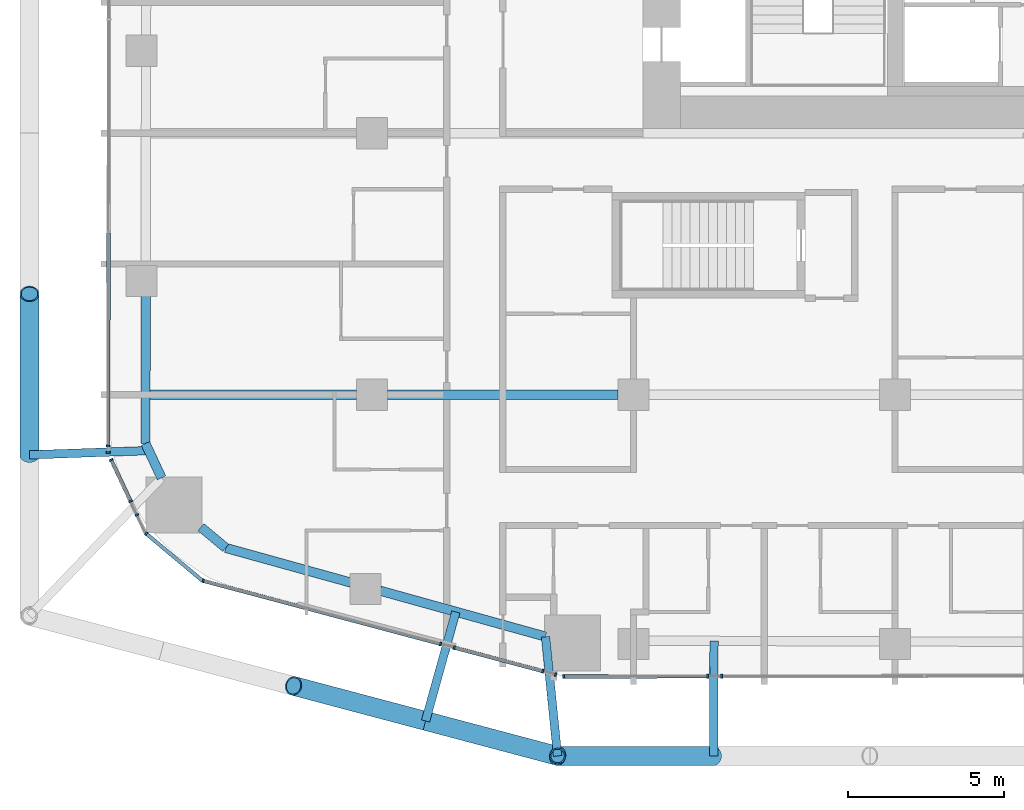
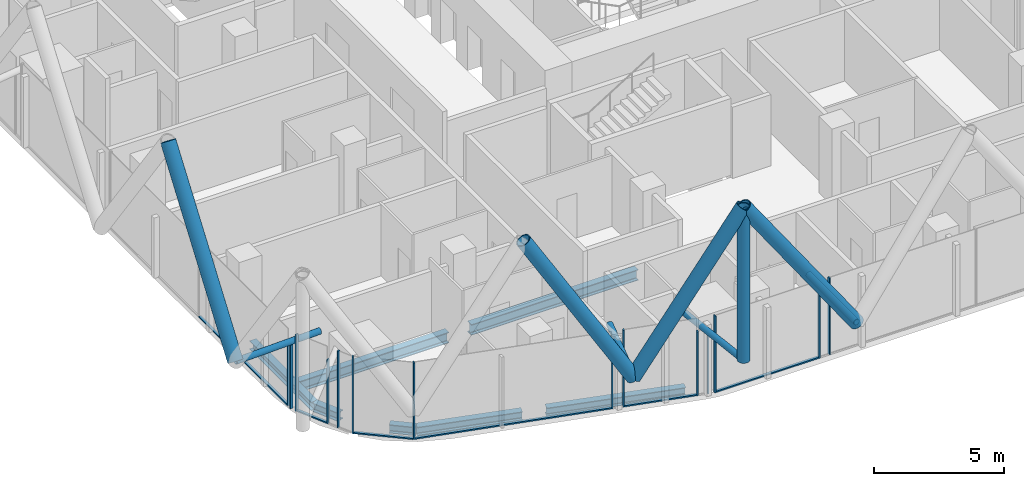
# One storey, part 2 of 38: 29 members, 7 beams, 13 elements without a shape of their own.
"""IFC4 building model written with IfcOpenShell, lengths in metres."""

from ifc_helpers import new_model, si_unit, direction, frame, origin, origin_2d, place, context, subcontext, project, spatial, rectangle, hollow_circle, i_section, extrude, material, layer, layer_set, material_profile, profile_set, type_object, element, aggregate, save


model = new_model("IFC4")

# Units and contexts
model_context = context("Model", 3, precision=1e-05, world=origin(), true_north=direction((0.0, 1.0)))
body_context = subcontext(model_context, "Body", "Model", "MODEL_VIEW")
ifc_project = project(units=[si_unit("LENGTHUNIT", "METRE"), si_unit("AREAUNIT", "SQUARE_METRE"), si_unit("VOLUMEUNIT", "CUBIC_METRE"), si_unit("PLANEANGLEUNIT", "RADIAN"), si_unit("MASSUNIT", "GRAM", prefix="KILO")], contexts=[model_context])

# Site, building, storey
site_placement = place(None, origin())
site = spatial("IfcSite", under=ifc_project, at=site_placement, CompositionType="ELEMENT")
building_placement = place(site_placement, origin())
building = spatial("IfcBuilding", under=site, at=building_placement, Name="Marenta Gate Hotel Tower", CompositionType="ELEMENT")
storey_placement = place(building_placement, frame((0.0, 0.0, 40.10009765625)))
storey = spatial("IfcBuildingStorey", under=building, at=storey_placement, Name="L07", CompositionType="ELEMENT", Elevation=40.10009765625)

# Members
ifc_material_1 = material(Name="Steel S355J2W", Category="steel")
ifc_material_profile_1 = material_profile(ifc_material_1, hollow_circle(Radius=0.25390625, WallThickness=0.0400390625, at=origin_2d()), Name="CHS 508x40")
ifc_profile_set_1 = profile_set([ifc_material_profile_1], Name="Steel S355J2W")
member_type_1 = type_object("IfcMemberType", Name="Diagrid corner post Z1 CHS 508x40", PredefinedType="POST", material=ifc_profile_set_1)
member_1_placement = place(storey_placement, frame((-15.0390625, -20.0, 3.139892578125), z_axis=(0.0, 0.0, 1.0), x_axis=(1.0, 0.0, 0.0)))
element("IfcMember", 1, at=member_1_placement, inside=storey, type_object=member_type_1, Name="L07-DR-4", PredefinedType="POST", context=body_context, shape_type="SweptSolid", body=[
    extrude(hollow_circle(Radius=0.25390625, WallThickness=0.0400390625, at=origin_2d()), origin(), (0.0, 0.0, 1.0), 7.199951171875),
])
ifc_material_2 = material(Name="Steel S355J2W", Category="steel")
ifc_material_profile_2 = material_profile(ifc_material_2, hollow_circle(Radius=0.304931640625, WallThickness=0.0400390625, at=origin_2d()), Name="CHS 610x40")
ifc_profile_set_2 = profile_set([ifc_material_profile_2], Name="Steel S355J2W")
member_type_2 = type_object("IfcMemberType", Name="Diagrid diagonal Z1 CHS 610x40", PredefinedType="BRACE", material=ifc_profile_set_2)
member_2_placement = place(storey_placement, frame((-10.02587890625, -20.0, 3.139892578125), z_axis=(-0.571411767966, 0.0, 0.820663506822), x_axis=(0.0, -1.0, 0.0)))
element("IfcMember", 2, at=member_2_placement, inside=storey, type_object=member_type_2, Name="L07-DG-20", PredefinedType="BRACE", context=body_context, shape_type="SweptSolid", body=[
    extrude(hollow_circle(Radius=0.304931640625, WallThickness=0.0400390625, at=origin_2d()), origin(), (0.0, 0.0, 1.0), 8.7734375),
])
for number, where, z_axis, x_axis, name in (
    (3, (-19.279296875, -18.875, 3.139892578125), (0.502924018666, -0.133433548941, 0.853968921838), (0.256443187528, 0.96655930577, 0.0), "L07-DG-21"),
    (4, (-19.279296875, -18.875, 3.139892578125), (-0.502924018666, 0.133433548941, 0.853968921838), (-0.256443187528, -0.96655930577, 0.0), "L07-DG-22"),
):
    element("IfcMember", number, at=place(storey_placement, frame(where, z_axis=z_axis, x_axis=x_axis)), inside=storey, type_object=member_type_2, Name=name, PredefinedType="BRACE", context=body_context, shape_type="SweptSolid", body=[
        extrude(hollow_circle(Radius=0.304931640625, WallThickness=0.0400390625, at=origin_2d()), origin(), (0.0, 0.0, 1.0), 8.43115234375),
    ])
member_3_placement = place(storey_placement, frame((-32.0, -10.330078125, 3.139892578125), z_axis=(0.0, 0.583260841117, 0.812284919975), x_axis=(-1.0, 0.0, 0.0)))
element("IfcMember", 5, at=member_3_placement, inside=storey, type_object=member_type_2, Name="L07-DG-26", PredefinedType="BRACE", context=body_context, shape_type="SweptSolid", body=[
    extrude(hollow_circle(Radius=0.304931640625, WallThickness=0.0400390625, at=origin_2d()), origin(), (0.0, 0.0, 1.0), 8.86376953125),
])

# Beams
ifc_material_3 = material(Name="Steel S355", Category="steel")
ifc_material_profile_3 = material_profile(ifc_material_3, i_section(OverallWidth=0.300048828125, OverallDepth=0.39990234375, WebThickness=0.013427734375, FlangeThickness=0.02392578125, FilletRadius=0.027099609375, at=origin_2d()), Name="HEB 400")
ifc_profile_set_3 = profile_set([ifc_material_profile_3], Name="Steel S355")
beam_type_1 = type_object("IfcBeamType", Name="Edge beam HEB 400", PredefinedType="SPANDREL", material=ifc_profile_set_3)
beam_1_placement = place(storey_placement, frame((-15.427734375, -16.166748046875, -0.460205078125), z_axis=(-0.963623684238, 0.267262782998, 0.0), x_axis=(-0.267262782998, -0.963623684238, 0.0)))
element("IfcBeam", 6, at=beam_1_placement, inside=storey, type_object=beam_type_1, Name="L07-EB-1", PredefinedType="SPANDREL", context=body_context, shape_type="SweptSolid", body=[
    extrude(i_section(OverallWidth=0.300048828125, OverallDepth=0.39990234375, WebThickness=0.013427734375, FlangeThickness=0.02392578125, FilletRadius=0.027099609375, at=origin_2d()), origin(), (0.0, 0.0, 1.0), 5.518310546875),
])
beam_2_placement = place(storey_placement, frame((-21.668212890625, -14.43603515625, -0.460205078125), z_axis=(-0.963617403201, 0.267285428426, 0.0), x_axis=(-0.267285428426, -0.963617403201, 0.0)))
element("IfcBeam", 7, at=beam_2_placement, inside=storey, type_object=beam_type_1, Name="L07-EB-2", PredefinedType="SPANDREL", context=body_context, shape_type="SweptSolid", body=[
    extrude(i_section(OverallWidth=0.300048828125, OverallDepth=0.39990234375, WebThickness=0.013427734375, FlangeThickness=0.02392578125, FilletRadius=0.027099609375, at=origin_2d()), origin(), (0.0, 0.0, 1.0), 4.1806640625),
])
beam_3_placement = place(storey_placement, frame((-25.69677734375, -13.318603515625, -0.460205078125), z_axis=(-0.767179911534, 0.641431978731, 0.0), x_axis=(-0.641431978731, -0.767179911534, 0.0)))
element("IfcBeam", 8, at=beam_3_placement, inside=storey, type_object=beam_type_1, Name="L07-EB-3", PredefinedType="SPANDREL", context=body_context, shape_type="SweptSolid", body=[
    extrude(i_section(OverallWidth=0.300048828125, OverallDepth=0.39990234375, WebThickness=0.013427734375, FlangeThickness=0.02392578125, FilletRadius=0.027099609375, at=origin_2d()), origin(), (0.0, 0.0, 1.0), 1.038818359375),
])
beam_4_placement = place(storey_placement, frame((-27.76025390625, -11.0693359375, -0.460205078125), z_axis=(-0.423291965192, 0.905993329006, 0.0), x_axis=(-0.905993329006, -0.423291965192, 0.0)))
element("IfcBeam", 9, at=beam_4_placement, inside=storey, type_object=beam_type_1, Name="L07-EB-4", PredefinedType="SPANDREL", context=body_context, shape_type="SweptSolid", body=[
    extrude(i_section(OverallWidth=0.300048828125, OverallDepth=0.39990234375, WebThickness=0.013427734375, FlangeThickness=0.02392578125, FilletRadius=0.027099609375, at=origin_2d()), origin(), (0.0, 0.0, 1.0), 1.21630859375),
])
beam_5_placement = place(storey_placement, frame((-28.275146484375, -9.96728515625, -0.460205078125), z_axis=(0.001386177947, 0.999999039255, 0.0), x_axis=(-0.999999039255, 0.001386177947, 0.0)))
element("IfcBeam", 10, at=beam_5_placement, inside=storey, type_object=beam_type_1, Name="L07-EB-5", PredefinedType="SPANDREL", context=body_context, shape_type="SweptSolid", body=[
    extrude(i_section(OverallWidth=0.300048828125, OverallDepth=0.39990234375, WebThickness=0.013427734375, FlangeThickness=0.02392578125, FilletRadius=0.027099609375, at=origin_2d()), origin(), (0.0, 0.0, 1.0), 4.75537109375),
])

# Members
ifc_material_4 = material(Name="Steel S355J2W", Category="steel")
ifc_material_profile_4 = material_profile(ifc_material_4, hollow_circle(Radius=0.136474609375, WallThickness=0.012451171875, at=origin_2d()), Name="CHS 273x12.5")
ifc_profile_set_4 = profile_set([ifc_material_profile_4], Name="Steel S355J2W")
member_type_3 = type_object("IfcMemberType", Name="Floor tie CHS 273x12.5", PredefinedType="STRUT", material=ifc_profile_set_4)
member_4_placement = place(storey_placement, frame((-10.02587890625, -20.0, 3.139892578125), z_axis=(0.00271396366, 0.999996317194, 0.0), x_axis=(-0.999996317194, 0.00271396366, 0.0)))
element("IfcMember", 11, at=member_4_placement, inside=storey, type_object=member_type_3, Name="L07-DR-15", PredefinedType="STRUT", context=body_context, shape_type="SweptSolid", body=[
    extrude(hollow_circle(Radius=0.136474609375, WallThickness=0.012451171875, at=origin_2d()), origin(), (0.0, 0.0, 1.0), 3.688232421875),
])
member_5_placement = place(storey_placement, frame((-15.0390625, -20.0, 3.139892578125), z_axis=(-0.100880214529, 0.99489857891, 0.0), x_axis=(-0.99489857891, -0.100880214529, 0.0)))
element("IfcMember", 12, at=member_5_placement, inside=storey, type_object=member_type_3, Name="L07-DR-16", PredefinedType="STRUT", context=body_context, shape_type="SweptSolid", body=[
    extrude(hollow_circle(Radius=0.136474609375, WallThickness=0.012451171875, at=origin_2d()), origin(), (0.0, 0.0, 1.0), 3.845458984375),
])
member_6_placement = place(storey_placement, frame((-19.279296875, -18.875, 3.139892578125), z_axis=(0.267255561647, 0.963625687064, 0.0), x_axis=(-0.963625687064, 0.267255561647, 0.0)))
element("IfcMember", 13, at=member_6_placement, inside=storey, type_object=member_type_3, Name="L07-DR-17", PredefinedType="STRUT", context=body_context, shape_type="SweptSolid", body=[
    extrude(hollow_circle(Radius=0.136474609375, WallThickness=0.012451171875, at=origin_2d()), origin(), (0.0, 0.0, 1.0), 3.632080078125),
])
member_7_placement = place(storey_placement, frame((-32.0, -10.330078125, 3.139892578125), z_axis=(0.999365858517, 0.035607314287, 0.0), x_axis=(-0.035607314287, 0.999365858517, 0.0)))
element("IfcMember", 14, at=member_7_placement, inside=storey, type_object=member_type_3, Name="L07-DR-19", PredefinedType="STRUT", context=body_context, shape_type="SweptSolid", body=[
    extrude(hollow_circle(Radius=0.136474609375, WallThickness=0.012451171875, at=origin_2d()), origin(), (0.0, 0.0, 1.0), 3.825927734375),
])

# Beams
ifc_material_5 = material(Name="Steel S355", Category="steel")
ifc_material_profile_5 = material_profile(ifc_material_5, i_section(OverallWidth=0.300048828125, OverallDepth=0.5, WebThickness=0.014404296875, FlangeThickness=0.028076171875, FilletRadius=0.027099609375, at=origin_2d()), Name="HEB 500")
ifc_profile_set_5 = profile_set([ifc_material_profile_5], Name="Steel S355")
beam_type_2 = type_object("IfcBeamType", Name="Girder HEB 500", PredefinedType="BEAM", material=ifc_profile_set_5)
beam_6_placement = place(storey_placement, frame((-28.123046875, -8.39990234375, -0.510009765625), z_axis=(1.0, 0.0, 0.0), x_axis=(0.0, 1.0, 0.0)))
element("IfcBeam", 15, at=beam_6_placement, inside=storey, type_object=beam_type_2, Name="L07-GD-1", PredefinedType="BEAM", context=body_context, shape_type="SweptSolid", body=[
    extrude(i_section(OverallWidth=0.300048828125, OverallDepth=0.5, WebThickness=0.014404296875, FlangeThickness=0.028076171875, FilletRadius=0.027099609375, at=origin_2d()), origin(), (0.0, 0.0, 1.0), 6.623046875),
])
beam_7_placement = place(storey_placement, frame((-20.5, -8.39990234375, -0.510009765625), z_axis=(1.0, 0.0, 0.0), x_axis=(0.0, 1.0, 0.0)))
element("IfcBeam", 16, at=beam_7_placement, inside=storey, type_object=beam_type_2, Name="L07-GD-2", PredefinedType="BEAM", context=body_context, shape_type="SweptSolid", body=[
    extrude(i_section(OverallWidth=0.300048828125, OverallDepth=0.5, WebThickness=0.014404296875, FlangeThickness=0.028076171875, FilletRadius=0.027099609375, at=origin_2d()), origin(), (0.0, 0.0, 1.0), 7.39990234375),
])

# Curtain wall, members
ifc_material_6 = material(Name="Tinted insulated glass in bronze anodised frame", Category="glass")
ifc_layer = layer(ifc_material_6, 0.1201171875)
ifc_layer_set = layer_set([ifc_layer], Name="Tinted insulated glass in bronze anodised frame")
curtain_wall_type = type_object("IfcCurtainWallType", Name="Tower unitised curtain wall CW1", PredefinedType="NOTDEFINED", material=ifc_layer_set)
curtain_wall_1_placement = place(storey_placement, origin())
curtain_wall_1 = element("IfcCurtainWall", 17, at=curtain_wall_1_placement, inside=storey, type_object=curtain_wall_type, Name="CW1 run G09", PredefinedType="NOTDEFINED")
ifc_material_7 = material(Name="Bronze anodised aluminium", Category="aluminium")
ifc_material_profile_6 = material_profile(ifc_material_7, rectangle(XDim=0.1201171875, YDim=0.06005859375, at=origin_2d()), Name="Mullion CW1 60x120 bronze anodised aluminium")
ifc_profile_set_6 = profile_set([ifc_material_profile_6], Name="Bronze anodised aluminium")
member_type_4 = type_object("IfcMemberType", Name="Mullion CW1 60x120 bronze anodised aluminium", PredefinedType="MULLION", material=ifc_profile_set_6)
member_8_placement = place(storey_placement, frame((-29.472900390625, -10.04345703125, 0.0), z_axis=(0.0, 0.0, 1.0), x_axis=(0.999998839888, -0.001523227487, 0.0)))
member_8 = element("IfcMember", 18, at=member_8_placement, type_object=member_type_4, Name="CW1 mullion 1", PredefinedType="MULLION", context=body_context, shape_type="SweptSolid", body=[
    extrude(rectangle(XDim=0.1201171875, YDim=0.06005859375, at=origin_2d()), origin(), (0.0, 0.0, 1.0), 3.00048828125),
])
member_9_placement = place(storey_placement, frame((-29.47314453125, -10.24609375, 0.0), z_axis=(0.0, 0.0, 1.0), x_axis=(0.999998839888, -0.001523227487, 0.0)))
member_9 = element("IfcMember", 19, at=member_9_placement, type_object=member_type_4, Name="CW1 mullion 2", PredefinedType="MULLION", context=body_context, shape_type="SweptSolid", body=[
    extrude(rectangle(XDim=0.1201171875, YDim=0.06005859375, at=origin_2d()), origin(), (0.0, 0.0, 1.0), 3.00048828125),
])
aggregate(curtain_wall_1, [member_8, member_9])

# Curtain wall, member
curtain_wall_2_placement = place(storey_placement, origin())
curtain_wall_2 = element("IfcCurtainWall", 20, at=curtain_wall_2_placement, inside=storey, type_object=curtain_wall_type, Name="CW1 run G10", PredefinedType="NOTDEFINED")
member_10_placement = place(storey_placement, frame((-29.373046875, -10.49072265625, 0.0), z_axis=(0.0, 0.0, 1.0), x_axis=(0.905954731156, 0.423374568314, 0.0)))
member_10 = element("IfcMember", 21, at=member_10_placement, type_object=member_type_4, Name="CW1 mullion 1", PredefinedType="MULLION", context=body_context, shape_type="SweptSolid", body=[
    extrude(rectangle(XDim=0.1201171875, YDim=0.06005859375, at=origin_2d()), origin(), (0.0, 0.0, 1.0), 3.599853515625),
])

curtain_wall_3_placement = place(storey_placement, origin())
curtain_wall_3 = element("IfcCurtainWall", 22, at=curtain_wall_3_placement, inside=storey, type_object=curtain_wall_type, Name="CW1 run G11", PredefinedType="NOTDEFINED")
member_11_placement = place(storey_placement, frame((-28.752197265625, -11.819091796875, 0.0), z_axis=(0.0, 0.0, 1.0), x_axis=(0.906004324729, 0.423268429691, 0.0)))
member_11 = element("IfcMember", 23, at=member_11_placement, type_object=member_type_4, Name="CW1 mullion 1", PredefinedType="MULLION", context=body_context, shape_type="SweptSolid", body=[
    extrude(rectangle(XDim=0.1201171875, YDim=0.06005859375, at=origin_2d()), origin(), (0.0, 0.0, 1.0), 3.00048828125),
])
aggregate(curtain_wall_3, [member_11])

curtain_wall_4_placement = place(storey_placement, origin())
curtain_wall_4 = element("IfcCurtainWall", 24, at=curtain_wall_4_placement, inside=storey, type_object=curtain_wall_type, Name="CW1 run G12", PredefinedType="NOTDEFINED")
member_12_placement = place(storey_placement, frame((-28.546630859375, -12.25927734375, 0.0), z_axis=(0.0, 0.0, 1.0), x_axis=(0.905943804319, 0.423397949235, 0.0)))
member_12 = element("IfcMember", 25, at=member_12_placement, type_object=member_type_4, Name="CW1 mullion 1", PredefinedType="MULLION", context=body_context, shape_type="SweptSolid", body=[
    extrude(rectangle(XDim=0.1201171875, YDim=0.06005859375, at=origin_2d()), origin(), (0.0, 0.0, 1.0), 3.599853515625),
])
aggregate(curtain_wall_4, [member_12])

curtain_wall_5_placement = place(storey_placement, origin())
curtain_wall_5 = element("IfcCurtainWall", 26, at=curtain_wall_5_placement, inside=storey, type_object=curtain_wall_type, Name="CW1 run G13", PredefinedType="NOTDEFINED")
member_13_placement = place(storey_placement, frame((-28.25146484375, -12.86083984375, 0.0), z_axis=(0.0, 0.0, 1.0), x_axis=(0.641511984407, 0.767113012445, 0.0)))
member_13 = element("IfcMember", 27, at=member_13_placement, type_object=member_type_4, Name="CW1 mullion 1", PredefinedType="MULLION", context=body_context, shape_type="SweptSolid", body=[
    extrude(rectangle(XDim=0.1201171875, YDim=0.06005859375, at=origin_2d()), origin(), (0.0, 0.0, 1.0), 3.599853515625),
])

curtain_wall_6_placement = place(storey_placement, origin())
curtain_wall_6 = element("IfcCurtainWall", 28, at=curtain_wall_6_placement, inside=storey, type_object=curtain_wall_type, Name="CW1 run G14", PredefinedType="NOTDEFINED")
member_14_placement = place(storey_placement, frame((-26.42236328125, -14.3740234375, 0.0), z_axis=(0.0, 0.0, 1.0), x_axis=(0.257144343682, 0.96637300589, 0.0)))
member_14 = element("IfcMember", 29, at=member_14_placement, type_object=member_type_4, Name="CW1 mullion 1", PredefinedType="MULLION", context=body_context, shape_type="SweptSolid", body=[
    extrude(rectangle(XDim=0.1201171875, YDim=0.06005859375, at=origin_2d()), origin(), (0.0, 0.0, 1.0), 3.599853515625),
])

curtain_wall_7_placement = place(storey_placement, origin())
curtain_wall_7 = element("IfcCurtainWall", 30, at=curtain_wall_7_placement, inside=storey, type_object=curtain_wall_type, Name="CW1 run G15", PredefinedType="NOTDEFINED")
member_15_placement = place(storey_placement, frame((-18.797607421875, -16.40283203125, 0.0), z_axis=(0.0, 0.0, 1.0), x_axis=(0.257154287199, 0.966370359942, 0.0)))
member_15 = element("IfcMember", 31, at=member_15_placement, type_object=member_type_4, Name="CW1 mullion 1", PredefinedType="MULLION", context=body_context, shape_type="SweptSolid", body=[
    extrude(rectangle(XDim=0.1201171875, YDim=0.06005859375, at=origin_2d()), origin(), (0.0, 0.0, 1.0), 3.00048828125),
])
aggregate(curtain_wall_7, [member_15])

curtain_wall_8_placement = place(storey_placement, origin())
curtain_wall_8 = element("IfcCurtainWall", 32, at=curtain_wall_8_placement, inside=storey, type_object=curtain_wall_type, Name="CW1 run G16", PredefinedType="NOTDEFINED")
member_16_placement = place(storey_placement, frame((-18.359619140625, -16.51953125, 0.0), z_axis=(0.0, 0.0, 1.0), x_axis=(0.257134071867, 0.966375739081, 0.0)))
member_16 = element("IfcMember", 33, at=member_16_placement, type_object=member_type_4, Name="CW1 mullion 1", PredefinedType="MULLION", context=body_context, shape_type="SweptSolid", body=[
    extrude(rectangle(XDim=0.1201171875, YDim=0.06005859375, at=origin_2d()), origin(), (0.0, 0.0, 1.0), 3.599853515625),
])

# Curtain wall, members
curtain_wall_9_placement = place(storey_placement, origin())
curtain_wall_9 = element("IfcCurtainWall", 34, at=curtain_wall_9_placement, inside=storey, type_object=curtain_wall_type, Name="CW1 run G17", PredefinedType="NOTDEFINED")
member_17_placement = place(storey_placement, frame((-15.5146484375, -17.2763671875, 0.0), z_axis=(0.0, 0.0, 1.0), x_axis=(0.257084251591, 0.966388993927, 0.0)))
member_17 = element("IfcMember", 35, at=member_17_placement, type_object=member_type_4, Name="CW1 mullion 1", PredefinedType="MULLION", context=body_context, shape_type="SweptSolid", body=[
    extrude(rectangle(XDim=0.1201171875, YDim=0.06005859375, at=origin_2d()), origin(), (0.0, 0.0, 1.0), 3.00048828125),
])
member_18_placement = place(storey_placement, frame((-15.104736328125, -17.385498046875, 0.0), z_axis=(0.0, 0.0, 1.0), x_axis=(0.257084251591, 0.966388993927, 0.0)))
member_18 = element("IfcMember", 36, at=member_18_placement, type_object=member_type_4, Name="CW1 mullion 2", PredefinedType="MULLION", context=body_context, shape_type="SweptSolid", body=[
    extrude(rectangle(XDim=0.1201171875, YDim=0.06005859375, at=origin_2d()), origin(), (0.0, 0.0, 1.0), 3.00048828125),
])
aggregate(curtain_wall_9, [member_17, member_18])

# Curtain wall, member
curtain_wall_10_placement = place(storey_placement, origin())
curtain_wall_10 = element("IfcCurtainWall", 37, at=curtain_wall_10_placement, inside=storey, type_object=curtain_wall_type, Name="CW1 run G18", PredefinedType="NOTDEFINED")
member_19_placement = place(storey_placement, frame((-14.840576171875, -17.44775390625, 0.0), z_axis=(0.0, 0.0, 1.0), x_axis=(-0.001167541525, 0.999999318423, 0.0)))
member_19 = element("IfcMember", 38, at=member_19_placement, type_object=member_type_4, Name="CW1 mullion 1", PredefinedType="MULLION", context=body_context, shape_type="SweptSolid", body=[
    extrude(rectangle(XDim=0.1201171875, YDim=0.06005859375, at=origin_2d()), origin(), (0.0, 0.0, 1.0), 3.599853515625),
])

curtain_wall_11_placement = place(storey_placement, origin())
curtain_wall_11 = element("IfcCurtainWall", 39, at=curtain_wall_11_placement, inside=storey, type_object=curtain_wall_type, Name="CW1 run G19", PredefinedType="NOTDEFINED")
member_20_placement = place(storey_placement, frame((-10.215576171875, -17.4423828125, 0.0), z_axis=(0.0, 0.0, 1.0), x_axis=(-0.001103752086, 0.999999390865, 0.0)))
member_20 = element("IfcMember", 40, at=member_20_placement, type_object=member_type_4, Name="CW1 mullion 1", PredefinedType="MULLION", context=body_context, shape_type="SweptSolid", body=[
    extrude(rectangle(XDim=0.1201171875, YDim=0.06005859375, at=origin_2d()), origin(), (0.0, 0.0, 1.0), 3.00048828125),
])
aggregate(curtain_wall_11, [member_20])

curtain_wall_12_placement = place(storey_placement, origin())
curtain_wall_12 = element("IfcCurtainWall", 41, at=curtain_wall_12_placement, inside=storey, type_object=curtain_wall_type, Name="CW1 run G20", PredefinedType="NOTDEFINED")
member_21_placement = place(storey_placement, frame((-9.762451171875, -17.44189453125, 0.0), z_axis=(0.0, 0.0, 1.0), x_axis=(-0.001163317936, 0.999999323345, 0.0)))
member_21 = element("IfcMember", 42, at=member_21_placement, type_object=member_type_4, Name="CW1 mullion 1", PredefinedType="MULLION", context=body_context, shape_type="SweptSolid", body=[
    extrude(rectangle(XDim=0.1201171875, YDim=0.06005859375, at=origin_2d()), origin(), (0.0, 0.0, 1.0), 3.599853515625),
])
aggregate(curtain_wall_12, [member_21])

curtain_wall_13_placement = place(storey_placement, origin())
curtain_wall_13 = element("IfcCurtainWall", 43, at=curtain_wall_13_placement, inside=storey, type_object=curtain_wall_type, Name="CW1 run G08", PredefinedType="NOTDEFINED")
ifc_material_8 = material(Name="Bronze anodised aluminium", Category="aluminium")
ifc_material_profile_7 = material_profile(ifc_material_8, rectangle(XDim=0.1201171875, YDim=0.06005859375, at=origin_2d()), Name="Transom CW1 60x120 bronze anodised aluminium")
ifc_profile_set_7 = profile_set([ifc_material_profile_7], Name="Bronze anodised aluminium")
member_type_5 = type_object("IfcMemberType", Name="Transom CW1 60x120 bronze anodised aluminium", PredefinedType="USERDEFINED", material=ifc_profile_set_7)
member_22_placement = place(storey_placement, frame((-29.462158203125, -3.20458984375, 0.02978515625), z_axis=(-0.001577680994, -0.999998755461, 0.0), x_axis=(0.999998755461, -0.001577680994, 0.0)))
member_22 = element("IfcMember", 44, at=member_22_placement, type_object=member_type_5, Name="CW1 transom 3.1", ObjectType="TRANSOM", PredefinedType="USERDEFINED", context=body_context, shape_type="SweptSolid", body=[
    extrude(rectangle(XDim=0.1201171875, YDim=0.06005859375, at=origin_2d()), origin(), (0.0, 0.0, 1.0), 6.808837890625),
])
aggregate(curtain_wall_13, [member_22])

# Member
member_23_placement = place(storey_placement, frame((-29.3603515625, -10.51806640625, 0.02978515625), z_axis=(0.423512756484, -0.905890139639, 0.0), x_axis=(0.905890139639, 0.423512756484, 0.0)))
member_23 = element("IfcMember", 45, at=member_23_placement, type_object=member_type_5, Name="CW1 transom 1.1", ObjectType="TRANSOM", PredefinedType="USERDEFINED", context=body_context, shape_type="SweptSolid", body=[
    extrude(rectangle(XDim=0.1201171875, YDim=0.06005859375, at=origin_2d()), origin(), (0.0, 0.0, 1.0), 1.406005859375),
])

aggregate(curtain_wall_2, [member_10, member_23])

member_24_placement = place(storey_placement, frame((-28.228271484375, -12.880126953125, 0.02978515625), z_axis=(0.767079699321, -0.641551817775, 0.0), x_axis=(0.641551817775, 0.767079699321, 0.0)))
member_24 = element("IfcMember", 46, at=member_24_placement, type_object=member_type_5, Name="CW1 transom 1.1", ObjectType="TRANSOM", PredefinedType="USERDEFINED", context=body_context, shape_type="SweptSolid", body=[
    extrude(rectangle(XDim=0.1201171875, YDim=0.06005859375, at=origin_2d()), origin(), (0.0, 0.0, 1.0), 2.31640625),
])

aggregate(curtain_wall_5, [member_13, member_24])

member_25_placement = place(storey_placement, frame((-26.393310546875, -14.3818359375, 0.02978515625), z_axis=(0.966375039194, -0.257136702208, 0.0), x_axis=(0.257136702208, 0.966375039194, 0.0)))
member_25 = element("IfcMember", 47, at=member_25_placement, type_object=member_type_5, Name="CW1 transom 1.1", ObjectType="TRANSOM", PredefinedType="USERDEFINED", context=body_context, shape_type="SweptSolid", body=[
    extrude(rectangle(XDim=0.1201171875, YDim=0.06005859375, at=origin_2d()), origin(), (0.0, 0.0, 1.0), 7.830078125),
])

aggregate(curtain_wall_6, [member_14, member_25])

member_26_placement = place(storey_placement, frame((-18.330810546875, -16.527099609375, 0.02978515625), z_axis=(0.966366881065, -0.257167360255, 0.0), x_axis=(0.257167360255, 0.966366881065, 0.0)))
member_26 = element("IfcMember", 48, at=member_26_placement, type_object=member_type_5, Name="CW1 transom 1.1", ObjectType="TRANSOM", PredefinedType="USERDEFINED", context=body_context, shape_type="SweptSolid", body=[
    extrude(rectangle(XDim=0.1201171875, YDim=0.06005859375, at=origin_2d()), origin(), (0.0, 0.0, 1.0), 2.884033203125),
])

aggregate(curtain_wall_8, [member_16, member_26])

member_27_placement = place(storey_placement, frame((-14.810546875, -17.44775390625, 0.02978515625), z_axis=(0.999999307811, 0.001176595613, 0.0), x_axis=(-0.001176595613, 0.999999307811, 0.0)))
member_27 = element("IfcMember", 49, at=member_27_placement, type_object=member_type_5, Name="CW1 transom 1.1", ObjectType="TRANSOM", PredefinedType="USERDEFINED", context=body_context, shape_type="SweptSolid", body=[
    extrude(rectangle(XDim=0.1201171875, YDim=0.06005859375, at=origin_2d()), origin(), (0.0, 0.0, 1.0), 4.56494140625),
])

aggregate(curtain_wall_10, [member_19, member_27])

save(model, "model.ifc")
